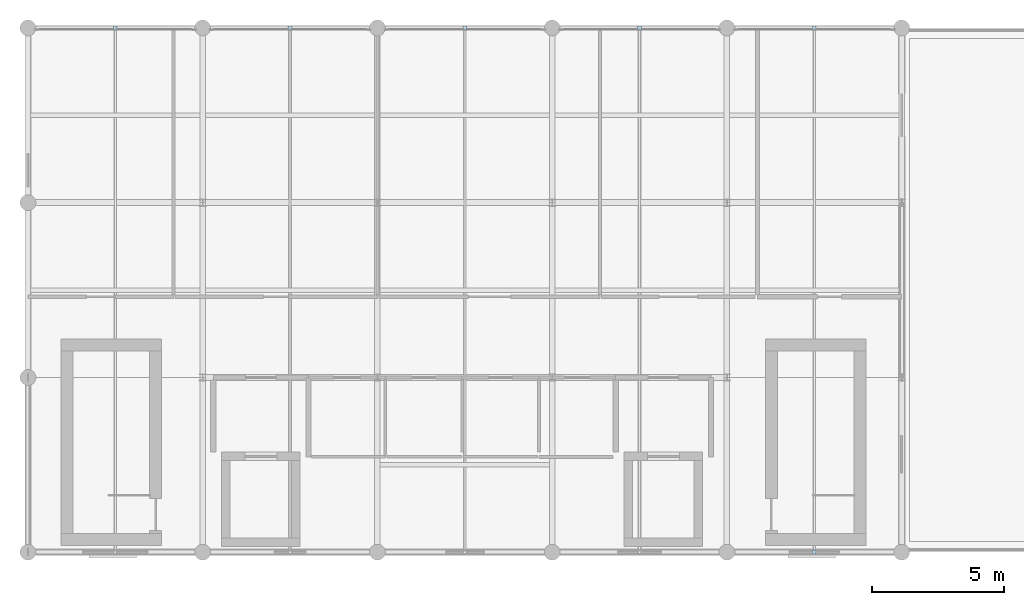
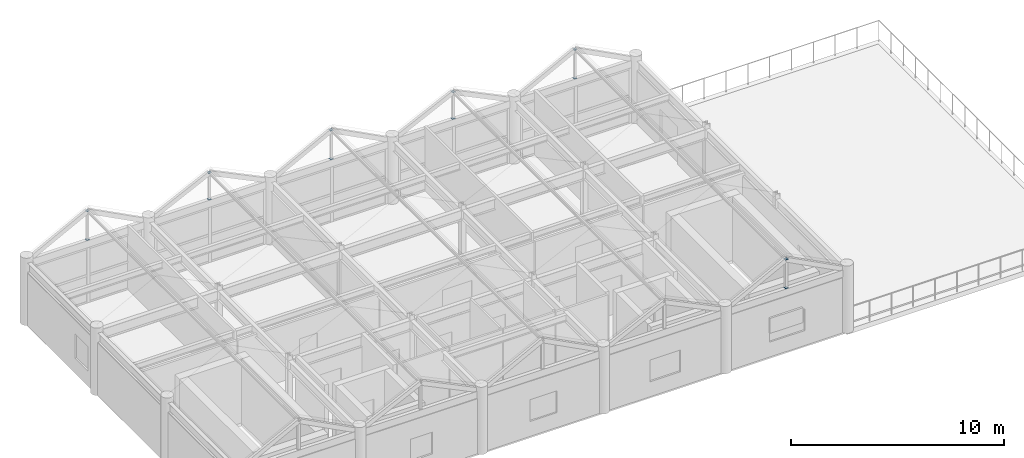
# One storey, part 17 of 21: 12 plates.
"""IFC4 building model written with IfcOpenShell, lengths in metres."""

import ifcopenshell
import ifcopenshell.guid

model = None  # the IFC model being written
_history = None  # IfcOwnerHistory: only IFC2X3 demands one
_inside = {}  # id of a spatial element -> (the spatial element, [elements in it])
_under = {}  # id of a project, library or spatial element -> (it, [spatial elements below it])
_declared = {}  # id of a project -> (the project, [libraries it declares])
_typed = {}  # id of a type object -> (the type object, [elements of that type])
_made_of = {}  # id of a material, layer set ... -> (it, [elements and type objects made of it])


def new_model(schema):
    """Start an empty IFC model of exactly this schema.

    Asked for "IFC4X3", IfcOpenShell would pick the latest addendum, in which some entities
    have other attributes; the version numbers below select the first issue.
    IFC2X3 requires an IfcOwnerHistory on every rooted entity: one is made here for all.
    """
    global model, _history
    if schema == "IFC4X3":
        model = ifcopenshell.file(schema_version=(4, 3, 0, 0))
    else:
        model = ifcopenshell.file(schema=schema)
    _inside.clear()
    _under.clear()
    _declared.clear()
    _typed.clear()
    _made_of.clear()
    _history = None
    if model.schema == "IFC2X3":
        org = make("IfcOrganization", Name="unknown")
        user = make(
            "IfcPersonAndOrganization",
            ThePerson=make("IfcPerson", FamilyName="unknown"),
            TheOrganization=org,
        )
        app = make(
            "IfcApplication",
            ApplicationDeveloper=org,
            Version="unknown",
            ApplicationFullName="unknown",
            ApplicationIdentifier="unknown",
        )
        _history = make(
            "IfcOwnerHistory",
            OwningUser=user,
            OwningApplication=app,
            ChangeAction="ADDED",
            CreationDate=0,
        )
    return model


def make(cls, **values):
    """One entity of the class cls with the attributes given. An attribute that is None is left unset."""
    return model.create_entity(
        cls, **{name: value for name, value in values.items() if value is not None}
    )


def rooted(cls, **values):
    """An entity with a GlobalId (a new one), such as an element, a storey or a relation."""
    return make(cls, GlobalId=ifcopenshell.guid.new(), OwnerHistory=_history, **values)


def si_unit(unit_type, name, prefix=None):
    """IfcSIUnit, for example si_unit("LENGTHUNIT", "METRE", prefix="MILLI")."""
    return make("IfcSIUnit", UnitType=unit_type, Prefix=prefix, Name=name)


def assignment(units):
    """IfcUnitAssignment: the units of a project."""
    return None if units is None else make("IfcUnitAssignment", Units=units)


def point(xyz):
    """IfcCartesianPoint."""
    return None if xyz is None else make("IfcCartesianPoint", Coordinates=xyz)


def direction(xyz):
    """IfcDirection."""
    return None if xyz is None else make("IfcDirection", DirectionRatios=xyz)


def frame(location, z_axis=None, x_axis=None):
    """IfcAxis2Placement3D, a coordinate frame: its origin and axes. An axis left out is left unset."""
    return make(
        "IfcAxis2Placement3D",
        Location=point(location),
        Axis=direction(z_axis),
        RefDirection=direction(x_axis),
    )


def frame_2d(location, x_axis=None):
    """IfcAxis2Placement2D, a coordinate frame in the plane: its origin and x axis."""
    return make(
        "IfcAxis2Placement2D", Location=point(location), RefDirection=direction(x_axis)
    )


def origin():
    """The frame at (0, 0, 0) with its axes left unset."""
    return frame((0.0, 0.0, 0.0))


def origin_2d():
    """The frame at (0, 0) in the plane with its x axis left unset."""
    return frame_2d((0.0, 0.0))


def place(relative_to, where):
    """IfcLocalPlacement: puts the frame where relative to a parent placement (None: the world)."""
    return make(
        "IfcLocalPlacement", PlacementRelTo=relative_to, RelativePlacement=where
    )


def context(
    kind, dimensions, precision=None, world=None, true_north=None, identifier=None
):
    """IfcGeometricRepresentationContext, for example the 3D "Model" context."""
    return make(
        "IfcGeometricRepresentationContext",
        ContextIdentifier=identifier,
        ContextType=kind,
        CoordinateSpaceDimension=dimensions,
        Precision=precision,
        WorldCoordinateSystem=world,
        TrueNorth=true_north,
    )


def subcontext(parent, identifier, kind, view, scale=None):
    """IfcGeometricRepresentationSubContext, for example "Body" below "Model"."""
    return make(
        "IfcGeometricRepresentationSubContext",
        ContextIdentifier=identifier,
        ContextType=kind,
        ParentContext=parent,
        TargetScale=scale,
        TargetView=view,
    )


def project(units=None, contexts=None):
    """IfcProject with its units and contexts."""
    return rooted(
        "IfcProject",
        Name="project",
        RepresentationContexts=contexts,
        UnitsInContext=assignment(units),
    )


def spatial(cls, under=None, at=None, **own):
    """A site, building, storey or space (cls), placed at a placement, below another one or the project."""
    s = rooted(cls, ObjectPlacement=at, **own)
    if under is not None:
        _under.setdefault(under.id(), (under, []))[1].append(s)
    return s


def profile(cls, at=None, kind="AREA", **sizes):
    """A parametric profile (cls). Its sizes go by their IFC names, for example OverallWidth=200.0."""
    return make(cls, ProfileType=kind, Position=at, **sizes)


def rectangle(**sizes):
    """IfcRectangleProfileDef."""
    return profile("IfcRectangleProfileDef", **sizes)


def extrude(swept, where, along, depth):
    """IfcExtrudedAreaSolid: the profile swept, set in the frame where, extruded along a direction by depth."""
    return make(
        "IfcExtrudedAreaSolid",
        SweptArea=swept,
        Position=where,
        ExtrudedDirection=direction(along),
        Depth=depth,
    )


def shape(context_of_items, identifier, shape_type, items):
    """IfcShapeRepresentation: the items that make up one representation, for example the "Body"."""
    return make(
        "IfcShapeRepresentation",
        ContextOfItems=context_of_items,
        RepresentationIdentifier=identifier,
        RepresentationType=shape_type,
        Items=items,
    )


def material(Name=None, Category=None):
    """IfcMaterial."""
    return make("IfcMaterial", Name=Name, Category=Category)


def layer(
    of_material, thickness, ventilated=None, Name=None, Category=None, Priority=None
):
    """IfcMaterialLayer: one layer of a wall or slab, of a material (None: an air gap)."""
    return make(
        "IfcMaterialLayer",
        Material=of_material,
        LayerThickness=thickness,
        IsVentilated=ventilated,
        Name=Name,
        Category=Category,
        Priority=Priority,
    )


def layer_set(layers, Name=None):
    """IfcMaterialLayerSet."""
    return make("IfcMaterialLayerSet", MaterialLayers=layers, LayerSetName=Name)


def made_of(thing, what):
    """Note that an element or type object is made of a material, layer set ...; save() writes the relation."""
    if what is not None:
        _made_of.setdefault(what.id(), (what, []))[1].append(thing)
    return thing


def type_object(cls, material=None, **own):
    """A type object (cls), such as IfcWallType, which elements share."""
    return made_of(rooted(cls, **own), material)


def element(
    cls,
    number,
    at=None,
    inside=None,
    cuts=None,
    type_object=None,
    material=None,
    context=None,
    identifier="Body",
    shape_type=None,
    held_by="IfcProductDefinitionShape",
    body=None,
    shapes=None,
    **own,
):
    """One element of the class cls, such as IfcWall. Its Tag is "e" and its number.

    at: its placement. inside: the storey or other place that contains it. cuts: it is an
    opening in that element (IfcRelVoidsElement). A single representation is given by context,
    identifier, shape_type and body (its items); several are given by shapes. held_by: the class
    of the entity that holds the representations. save() writes the other relations.
    """
    e = rooted(cls, Tag="e%d" % number, ObjectPlacement=at, **own)
    if body is not None:
        shapes = [shape(context, identifier, shape_type, body)]
    if shapes is not None:
        e.Representation = make(held_by, Representations=shapes)
    if inside is not None:
        _inside.setdefault(inside.id(), (inside, []))[1].append(e)
    if cuts is not None:
        rooted(
            "IfcRelVoidsElement", RelatingBuildingElement=cuts, RelatedOpeningElement=e
        )
    if type_object is not None:
        _typed.setdefault(type_object.id(), (type_object, []))[1].append(e)
    return made_of(e, material)


def aggregate(whole, parts):
    """IfcRelAggregates: a whole, such as a stair, and the parts it consists of."""
    return rooted("IfcRelAggregates", RelatingObject=whole, RelatedObjects=parts)


def save(model, path):
    """Write the relations noted so far, then the file.

    IfcRelAggregates (storeys below a building ...), IfcRelContainedInSpatialStructure (elements
    in a storey), IfcRelDefinesByType, IfcRelAssociatesMaterial and IfcRelDeclares: one each for
    every whole, place, type object, material and project.
    """
    for whole, parts in _under.values():
        aggregate(whole, parts)
    for where, things in _inside.values():
        rooted(
            "IfcRelContainedInSpatialStructure",
            RelatedElements=things,
            RelatingStructure=where,
        )
    for kind, things in _typed.values():
        rooted("IfcRelDefinesByType", RelatedObjects=things, RelatingType=kind)
    for what, things in _made_of.values():
        rooted("IfcRelAssociatesMaterial", RelatedObjects=things, RelatingMaterial=what)
    for by, libraries in _declared.values():
        rooted("IfcRelDeclares", RelatingContext=by, RelatedDefinitions=libraries)
    model.write(path)


model = new_model("IFC4")

# Units and contexts
model_context = context("Model", 3, precision=1e-05, world=origin(), true_north=direction((0.0, 1.0)))
body_context = subcontext(model_context, "Body", "Model", "MODEL_VIEW")
ifc_project = project(units=[si_unit("LENGTHUNIT", "METRE"), si_unit("AREAUNIT", "SQUARE_METRE"), si_unit("VOLUMEUNIT", "CUBIC_METRE"), si_unit("PLANEANGLEUNIT", "RADIAN"), si_unit("MASSUNIT", "GRAM", prefix="KILO")], contexts=[model_context])

# Site, building, storey
site_placement = place(None, origin())
site = spatial("IfcSite", under=ifc_project, at=site_placement, CompositionType="ELEMENT")
building_placement = place(site_placement, origin())
building = spatial("IfcBuilding", under=site, at=building_placement, Name="Karori Crest Natural Sciences Institute", CompositionType="ELEMENT")
storey_placement = place(building_placement, frame((0.0, 0.0, 42.0)))
storey = spatial("IfcBuildingStorey", under=building, at=storey_placement, Name="L10", CompositionType="ELEMENT", Elevation=42.0)

# Plates
ifc_material = material(Name="Structural steel AS/NZS 3679.1 Grade 350", Category="steel")
ifc_layer = layer(ifc_material, 0.02490234375, Name="Structural steel AS/NZS 3679.1 Grade 350")
ifc_layer_set = layer_set([ifc_layer], Name="Structural steel AS/NZS 3679.1 Grade 350")
plate_type = type_object("IfcPlateType", Name="PLT-06-EL", PredefinedType="SHEET", material=ifc_layer_set)
for number, where, z_axis, x_axis, name in (
    (1, (106.89990234375, 20.60009765625, 3.55712890625), (0.0, 0.0, 1.0), (1.0, 0.0, 0.0), "Hollow section end cap EP-0434"),
    (2, (106.89990234375, 20.60009765625, 5.2099609375), (0.0, 0.0, 1.0), (1.0, 0.0, 0.0), "Hollow section end cap EP-0435"),
    (3, (113.5, 20.60009765625, 3.55712890625), (0.0, 0.0, 1.0), (1.0, 0.0, 0.0), "Hollow section end cap EP-0438"),
    (4, (113.5, 20.60009765625, 5.090087890625), (0.0, 0.0, 1.0), (1.0, 0.0, 0.0), "Hollow section end cap EP-0439"),
    (5, (120.10009765625, 20.60009765625, 3.55712890625), (0.0, 0.0, 1.0), (1.0, 0.0, 0.0), "Hollow section end cap EP-0442"),
    (6, (120.10009765625, 20.60009765625, 5.2099609375), (0.0, 0.0, 1.0), (1.0, 0.0, 0.0), "Hollow section end cap EP-0443"),
    (7, (126.699951171875, 20.60009765625, 3.55712890625), (0.0, 0.0, 1.0), (1.0, 0.0, 0.0), "Hollow section end cap EP-0446"),
    (8, (126.699951171875, 20.60009765625, 5.090087890625), (0.0, 0.0, 1.0), (1.0, 0.0, 0.0), "Hollow section end cap EP-0447"),
    (9, (133.300048828125, 0.800048828125, 3.55712890625), (0.0, 0.0, 1.0), (1.0, 0.0, 0.0), "Hollow section end cap EP-0448"),
    (10, (133.300048828125, 0.800048828125, 5.2099609375), (0.0, 0.0, 1.0), (1.0, 0.0, 0.0), "Hollow section end cap EP-0449"),
    (11, (133.300048828125, 20.60009765625, 3.55712890625), (0.0, 0.0, 1.0), (1.0, 0.0, 0.0), "Hollow section end cap EP-0450"),
    (12, (133.300048828125, 20.60009765625, 5.2099609375), (0.0, 0.0, 1.0), (1.0, 0.0, 0.0), "Hollow section end cap EP-0451"),
):
    element("IfcPlate", number, at=place(storey_placement, frame(where, z_axis=z_axis, x_axis=x_axis)), inside=storey, type_object=plate_type, Name=name, PredefinedType="SHEET", context=body_context, shape_type="SweptSolid", body=[
        extrude(rectangle(XDim=0.14501953125, YDim=0.14501953125, at=origin_2d()), origin(), (0.0, 0.0, 1.0), 0.02490234375),
    ])

save(model, "model.ifc")
